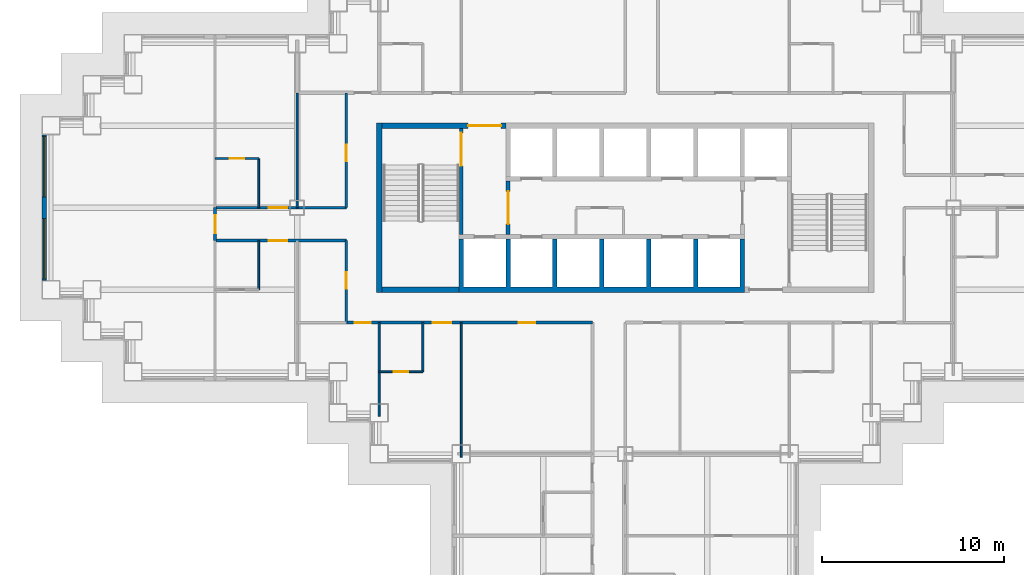
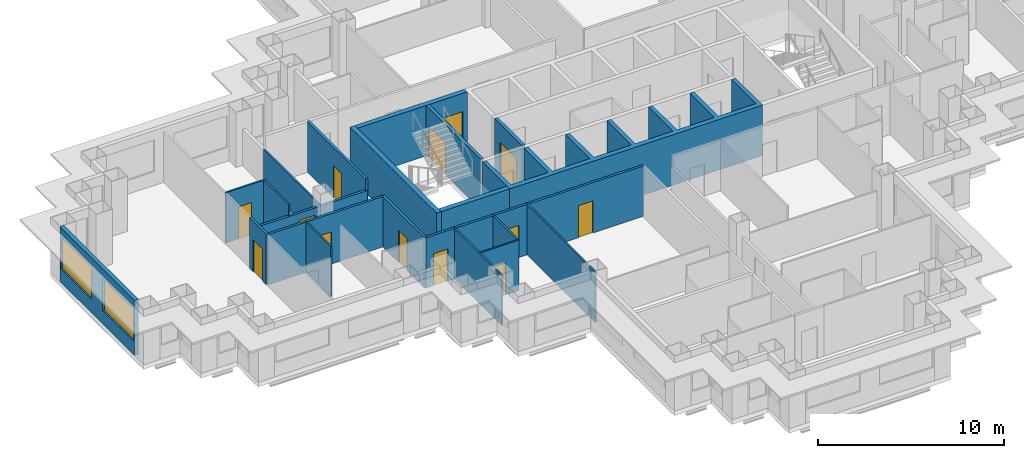
# One storey, part 4 of 14: 21 walls, 13 doors, 2 windows, 15 openings.
"""IFC4 building model written with IfcOpenShell, lengths in metres."""

from ifc_helpers import new_model, si_unit, direction, frame, frame_2d, origin, place, context, subcontext, project, spatial, polyline, rectangle, outline, extrude, material, layer, layer_set, type_object, element, fill, save


model = new_model("IFC4")

# Units and contexts
model_context = context("Model", 3, precision=1e-05, world=origin(), true_north=direction((0.0, 1.0)))
body_context = subcontext(model_context, "Body", "Model", "MODEL_VIEW")
ifc_project = project(units=[si_unit("LENGTHUNIT", "METRE"), si_unit("AREAUNIT", "SQUARE_METRE"), si_unit("VOLUMEUNIT", "CUBIC_METRE"), si_unit("PLANEANGLEUNIT", "RADIAN"), si_unit("MASSUNIT", "GRAM", prefix="KILO")], contexts=[model_context])

# Site, building, storey
site_placement = place(None, origin())
site = spatial("IfcSite", under=ifc_project, at=site_placement, CompositionType="ELEMENT")
building_placement = place(site_placement, origin())
building = spatial("IfcBuilding", under=site, at=building_placement, Name="Caravel Reach Hotel and Residences", CompositionType="ELEMENT")
storey_placement = place(building_placement, frame((0.0, 0.0, 56.39990234375)))
storey = spatial("IfcBuildingStorey", under=building, at=storey_placement, Name="L12", CompositionType="ELEMENT", Elevation=56.39990234375)

# Wall, opening, door
ifc_material_1 = material(Name="Gypsum board on steel stud", Category="steel")
ifc_layer_1 = layer(ifc_material_1, 0.10009765625)
ifc_layer_set_1 = layer_set([ifc_layer_1], Name="Bathroom pod wall 100 mm")
wall_type_1 = type_object("IfcWallType", Name="Bathroom pod wall 100 mm", PredefinedType="PARTITIONING", material=ifc_layer_set_1)
wall_1_placement = place(storey_placement, frame((18.0, 18.0, 0.0), z_axis=(0.0, 0.0, 1.0), x_axis=(1.0, 0.0, 0.0)))
wall_1 = element("IfcWall", 1, at=wall_1_placement, inside=storey, type_object=wall_type_1, Name="L12 wall w075", PredefinedType="PARTITIONING", context=body_context, shape_type="SweptSolid", body=[
    extrude(rectangle(XDim=2.39990234375, YDim=0.10009765625, at=frame_2d((1.199951171875, 0.0))), origin(), (0.0, 0.0, 1.0), 3.300048828125),
])
opening_1_placement = place(wall_1_placement, frame((0.800048828125, 0.0, 0.0)))
opening_1 = element("IfcOpeningElement", 2, at=opening_1_placement, cuts=wall_1, Name="Opening D12-047", PredefinedType="OPENING", context=body_context, shape_type="SweptSolid", body=[
    extrude(rectangle(XDim=0.800048828125, YDim=2.10009765625, at=frame_2d((0.39990234375, 1.050048828125))), frame((0.0, 0.06005859375, 0.0), z_axis=(0.0, -1.0, 0.0), x_axis=(1.0, 0.0, 0.0)), (0.0, 0.0, 1.0), 0.1201171875),
])
ifc_material_2 = material(Name="Timber and steel door leaf", Category="steel")
door_type_1 = type_object("IfcDoorType", Name="Bathroom door 800 x 2100", OperationType="SINGLE_SWING_LEFT", PredefinedType="DOOR", material=ifc_material_2)
door_1_placement = place(opening_1_placement, origin())
door_1 = element("IfcDoor", 3, at=door_1_placement, inside=storey, type_object=door_type_1, Name="door D12-047", OperationType="SINGLE_SWING_RIGHT", OverallHeight=2.10009765625, OverallWidth=0.800048828125, PredefinedType="DOOR", context=body_context, shape_type="SweptSolid", body=[
    extrude(rectangle(XDim=0.800048828125, YDim=2.10009765625, at=frame_2d((0.39990234375, 1.050048828125))), frame((0.0, 0.02490234375, 0.0), z_axis=(0.0, -1.0, 0.0), x_axis=(1.0, 0.0, 0.0)), (0.0, 0.0, 1.0), 0.050048828125),
])
fill(opening_1, door_1)

wall_2_placement = place(storey_placement, frame((9.0, 29.699951171875, 0.0), z_axis=(0.0, 0.0, 1.0), x_axis=(1.0, 0.0, 0.0)))
wall_2 = element("IfcWall", 4, at=wall_2_placement, inside=storey, type_object=wall_type_1, Name="L12 wall w080", PredefinedType="PARTITIONING", context=body_context, shape_type="SweptSolid", body=[
    extrude(rectangle(XDim=2.39990234375, YDim=0.10009765625, at=frame_2d((1.199951171875, 0.0))), origin(), (0.0, 0.0, 1.0), 3.300048828125),
])
opening_2_placement = place(wall_2_placement, frame((0.800048828125, 0.0, 0.0)))
opening_2 = element("IfcOpeningElement", 5, at=opening_2_placement, cuts=wall_2, Name="Opening D12-018", PredefinedType="OPENING", context=body_context, shape_type="SweptSolid", body=[
    extrude(rectangle(XDim=0.800048828125, YDim=2.10009765625, at=frame_2d((0.39990234375, 1.050048828125))), frame((0.0, 0.06005859375, 0.0), z_axis=(0.0, -1.0, 0.0), x_axis=(1.0, 0.0, 0.0)), (0.0, 0.0, 1.0), 0.1201171875),
])
door_2_placement = place(opening_2_placement, origin())
door_2 = element("IfcDoor", 6, at=door_2_placement, inside=storey, type_object=door_type_1, Name="door D12-018", OperationType="SINGLE_SWING_LEFT", OverallHeight=2.10009765625, OverallWidth=0.800048828125, PredefinedType="DOOR", context=body_context, shape_type="SweptSolid", body=[
    extrude(rectangle(XDim=0.800048828125, YDim=2.10009765625, at=frame_2d((0.39990234375, 1.050048828125))), frame((0.0, 0.02490234375, 0.0), z_axis=(0.0, -1.0, 0.0), x_axis=(1.0, 0.0, 0.0)), (0.0, 0.0, 1.0), 0.050048828125),
])
fill(opening_2, door_2)

# Walls
for number, where, z_axis, x_axis, name in (
    (7, (11.39990234375, 27.0, 0.0), (0.0, 0.0, 1.0), (0.0, 1.0, 0.0), "L12 wall w088"),
    (8, (11.39990234375, 22.5, 0.0), (0.0, 0.0, 1.0), (0.0, 1.0, 0.0), "L12 wall w089"),
    (9, (20.39990234375, 18.0, 0.0), (0.0, 0.0, 1.0), (0.0, 1.0, 0.0), "L12 wall w091"),
):
    element("IfcWall", number, at=place(storey_placement, frame(where, z_axis=z_axis, x_axis=x_axis)), inside=storey, type_object=wall_type_1, Name=name, PredefinedType="PARTITIONING", context=body_context, shape_type="SweptSolid", body=[
        extrude(rectangle(XDim=2.699951171875, YDim=0.10009765625, at=frame_2d((1.35009765625, 0.0))), origin(), (0.0, 0.0, 1.0), 3.300048828125),
    ])
ifc_material_3 = material(Name="Concrete C60", Category="concrete")
ifc_layer_2 = layer(ifc_material_3, 0.300048828125)
ifc_layer_set_2 = layer_set([ifc_layer_2], Name="Core wall 300 mm EI 120")
wall_type_2 = type_object("IfcWallType", Name="Core wall 300 mm EI 120", PredefinedType="SHEAR", material=ifc_layer_set_2)
wall_3_placement = place(storey_placement, frame((18.14990234375, 22.5, 0.0), z_axis=(0.0, 0.0, 1.0), x_axis=(1.0, 0.0, 0.0)))
element("IfcWall", 10, at=wall_3_placement, inside=storey, type_object=wall_type_2, Name="L12 core wall S1", PredefinedType="SHEAR", context=body_context, shape_type="SweptSolid", body=[
    extrude(rectangle(XDim=4.22509765625, YDim=0.300048828125, at=frame_2d((2.112548828125, 0.0))), origin(), (0.0, 0.0, 1.0), 3.300048828125),
])

# Wall, opening, door
wall_4_placement = place(storey_placement, frame((18.14990234375, 31.5, 0.0), z_axis=(0.0, 0.0, 1.0), x_axis=(1.0, 0.0, 0.0)))
wall_4 = element("IfcWall", 11, at=wall_4_placement, inside=storey, type_object=wall_type_2, Name="L12 core wall N1", PredefinedType="SHEAR", context=body_context, shape_type="SweptSolid", body=[
    extrude(rectangle(XDim=6.796630859375, YDim=0.300048828125, at=frame_2d((3.3984375, 0.0))), origin(), (0.0, 0.0, 1.0), 3.300048828125),
])
opening_3_placement = place(wall_4_placement, frame((4.735595703125, 0.0, 0.0)))
opening_3 = element("IfcOpeningElement", 12, at=opening_3_placement, cuts=wall_4, Name="Opening D12-013", PredefinedType="OPENING", context=body_context, shape_type="SweptSolid", body=[
    extrude(rectangle(XDim=1.800048828125, YDim=2.10009765625, at=frame_2d((0.89990234375, 1.050048828125))), frame((0.0, 0.159912109375, 0.0), z_axis=(0.0, -1.0, 0.0), x_axis=(1.0, 0.0, 0.0)), (0.0, 0.0, 1.0), 0.320068359375),
])
ifc_material_4 = material(Name="Steel fire door leaf", Category="steel")
door_type_2 = type_object("IfcDoorType", Name="Fire lobby door pair 1800 x 2100 EI 90", OperationType="DOUBLE_DOOR_SINGLE_SWING", PredefinedType="DOOR", material=ifc_material_4)
door_3_placement = place(opening_3_placement, origin())
door_3 = element("IfcDoor", 13, at=door_3_placement, inside=storey, type_object=door_type_2, Name="lobby N door pair to corridor", OperationType="DOUBLE_DOOR_SINGLE_SWING", OverallHeight=2.10009765625, OverallWidth=1.800048828125, PredefinedType="DOOR", context=body_context, shape_type="SweptSolid", body=[
    extrude(rectangle(XDim=1.800048828125, YDim=2.10009765625, at=frame_2d((0.89990234375, 1.050048828125))), frame((0.0, 0.02490234375, 0.0), z_axis=(0.0, -1.0, 0.0), x_axis=(1.0, 0.0, 0.0)), (0.0, 0.0, 1.0), 0.050048828125),
])
fill(opening_3, door_3)

# Wall
wall_5_placement = place(storey_placement, frame((18.0, 22.35009765625, 0.0), z_axis=(0.0, 0.0, 1.0), x_axis=(0.0, 1.0, 0.0)))
element("IfcWall", 14, at=wall_5_placement, inside=storey, type_object=wall_type_2, Name="L12 core wall W", PredefinedType="SHEAR", context=body_context, shape_type="SweptSolid", body=[
    extrude(rectangle(XDim=9.2998046875, YDim=0.300048828125, at=frame_2d((4.64990234375, 0.0))), origin(), (0.0, 0.0, 1.0), 3.300048828125),
])

# Wall, openings, doors
ifc_material_5 = material(Name="Gypsum board on steel stud, fire-rated", Category="steel")
ifc_layer_3 = layer(ifc_material_5, 0.14990234375)
ifc_layer_set_3 = layer_set([ifc_layer_3], Name="Corridor wall 150 mm EI 60")
wall_type_3 = type_object("IfcWallType", Name="Corridor wall 150 mm EI 60", PredefinedType="PARTITIONING", material=ifc_layer_set_3)
wall_6_placement = place(storey_placement, frame((16.199951171875, 20.699951171875, 0.0), z_axis=(0.0, 0.0, 1.0), x_axis=(1.0, 0.0, 0.0)))
wall_6 = element("IfcWall", 15, at=wall_6_placement, inside=storey, type_object=wall_type_3, Name="L12 wall w006", PredefinedType="PARTITIONING", context=body_context, shape_type="SweptSolid", body=[
    extrude(rectangle(XDim=13.5, YDim=0.14990234375, at=frame_2d((6.75, 0.0))), origin(), (0.0, 0.0, 1.0), 3.300048828125),
])
opening_4_placement = place(wall_6_placement, frame((4.75, 0.0, 0.0)))
opening_4 = element("IfcOpeningElement", 16, at=opening_4_placement, cuts=wall_6, Name="Opening D12-046", PredefinedType="OPENING", context=body_context, shape_type="SweptSolid", body=[
    extrude(rectangle(XDim=1.0, YDim=2.10009765625, at=frame_2d((0.5, 1.050048828125))), frame((0.0, 0.0849609375, 0.0), z_axis=(0.0, -1.0, 0.0), x_axis=(1.0, 0.0, 0.0)), (0.0, 0.0, 1.0), 0.169921875),
])
opening_5_placement = place(wall_6_placement, frame((0.449951171875, 0.0, 0.0)))
opening_5 = element("IfcOpeningElement", 17, at=opening_5_placement, cuts=wall_6, Name="Opening D12-048", PredefinedType="OPENING", context=body_context, shape_type="SweptSolid", body=[
    extrude(rectangle(XDim=0.89990234375, YDim=2.10009765625, at=frame_2d((0.449951171875, 1.050048828125))), frame((0.0, 0.0849609375, 0.0), z_axis=(0.0, -1.0, 0.0), x_axis=(1.0, 0.0, 0.0)), (0.0, 0.0, 1.0), 0.169921875),
])
opening_6_placement = place(wall_6_placement, frame((9.449951171875, 0.0, 0.0)))
opening_6 = element("IfcOpeningElement", 18, at=opening_6_placement, cuts=wall_6, Name="Opening D12-054", PredefinedType="OPENING", context=body_context, shape_type="SweptSolid", body=[
    extrude(rectangle(XDim=0.89990234375, YDim=2.10009765625, at=frame_2d((0.449951171875, 1.050048828125))), frame((0.0, 0.0849609375, 0.0), z_axis=(0.0, -1.0, 0.0), x_axis=(1.0, 0.0, 0.0)), (0.0, 0.0, 1.0), 0.169921875),
])
ifc_material_6 = material(Name="Timber and steel door leaf", Category="steel")
door_type_3 = type_object("IfcDoorType", Name="Door 900 x 2100 timber", OperationType="SINGLE_SWING_LEFT", PredefinedType="DOOR", material=ifc_material_6)
door_4_placement = place(opening_5_placement, origin())
door_4 = element("IfcDoor", 19, at=door_4_placement, inside=storey, type_object=door_type_3, Name="door D12-048", OperationType="SINGLE_SWING_RIGHT", OverallHeight=2.10009765625, OverallWidth=0.89990234375, PredefinedType="DOOR", context=body_context, shape_type="SweptSolid", body=[
    extrude(rectangle(XDim=0.89990234375, YDim=2.10009765625, at=frame_2d((0.449951171875, 1.050048828125))), frame((0.0, 0.02490234375, 0.0), z_axis=(0.0, -1.0, 0.0), x_axis=(1.0, 0.0, 0.0)), (0.0, 0.0, 1.0), 0.050048828125),
])
fill(opening_5, door_4)
door_5_placement = place(opening_6_placement, origin())
door_5 = element("IfcDoor", 20, at=door_5_placement, inside=storey, type_object=door_type_3, Name="door D12-054", OperationType="SINGLE_SWING_LEFT", OverallHeight=2.10009765625, OverallWidth=0.89990234375, PredefinedType="DOOR", context=body_context, shape_type="SweptSolid", body=[
    extrude(rectangle(XDim=0.89990234375, YDim=2.10009765625, at=frame_2d((0.449951171875, 1.050048828125))), frame((0.0, 0.02490234375, 0.0), z_axis=(0.0, -1.0, 0.0), x_axis=(1.0, 0.0, 0.0)), (0.0, 0.0, 1.0), 0.050048828125),
])
fill(opening_6, door_5)
ifc_material_7 = material(Name="Steel fire door leaf", Category="steel")
door_type_4 = type_object("IfcDoorType", Name="Guest room door 1000 x 2100 EI 30", OperationType="SINGLE_SWING_LEFT", PredefinedType="DOOR", material=ifc_material_7)
door_6_placement = place(opening_4_placement, origin())
door_6 = element("IfcDoor", 21, at=door_6_placement, inside=storey, type_object=door_type_4, Name="door D12-046", OperationType="SINGLE_SWING_RIGHT", OverallHeight=2.10009765625, OverallWidth=1.0, PredefinedType="DOOR", context=body_context, shape_type="SweptSolid", body=[
    extrude(rectangle(XDim=1.0, YDim=2.10009765625, at=frame_2d((0.5, 1.050048828125))), frame((0.0, 0.02490234375, 0.0), z_axis=(0.0, -1.0, 0.0), x_axis=(1.0, 0.0, 0.0)), (0.0, 0.0, 1.0), 0.050048828125),
])
fill(opening_4, door_6)

# Wall, opening, door
wall_7_placement = place(storey_placement, frame((9.0, 25.199951171875, 0.0), z_axis=(0.0, 0.0, 1.0), x_axis=(1.0, 0.0, 0.0)))
wall_7 = element("IfcWall", 22, at=wall_7_placement, inside=storey, type_object=wall_type_3, Name="L12 wall w008", PredefinedType="PARTITIONING", context=body_context, shape_type="SweptSolid", body=[
    extrude(rectangle(XDim=7.199951171875, YDim=0.14990234375, at=frame_2d((3.60009765625, 0.0))), origin(), (0.0, 0.0, 1.0), 3.300048828125),
])
opening_7_placement = place(wall_7_placement, frame((2.949951171875, 0.0, 0.0)))
opening_7 = element("IfcOpeningElement", 23, at=opening_7_placement, cuts=wall_7, Name="Opening D12-015", PredefinedType="OPENING", context=body_context, shape_type="SweptSolid", body=[
    extrude(rectangle(XDim=1.0, YDim=2.10009765625, at=frame_2d((0.5, 1.050048828125))), frame((0.0, 0.0849609375, 0.0), z_axis=(0.0, -1.0, 0.0), x_axis=(1.0, 0.0, 0.0)), (0.0, 0.0, 1.0), 0.169921875),
])
door_7_placement = place(opening_7_placement, origin())
door_7 = element("IfcDoor", 24, at=door_7_placement, inside=storey, type_object=door_type_4, Name="door D12-015", OperationType="SINGLE_SWING_RIGHT", OverallHeight=2.10009765625, OverallWidth=1.0, PredefinedType="DOOR", context=body_context, shape_type="SweptSolid", body=[
    extrude(rectangle(XDim=1.0, YDim=2.10009765625, at=frame_2d((0.5, 1.050048828125))), frame((0.0, 0.02490234375, 0.0), z_axis=(0.0, -1.0, 0.0), x_axis=(1.0, 0.0, 0.0)), (0.0, 0.0, 1.0), 0.050048828125),
])
fill(opening_7, door_7)

wall_8_placement = place(storey_placement, frame((9.0, 27.0, 0.0), z_axis=(0.0, 0.0, 1.0), x_axis=(1.0, 0.0, 0.0)))
wall_8 = element("IfcWall", 25, at=wall_8_placement, inside=storey, type_object=wall_type_3, Name="L12 wall w012", PredefinedType="PARTITIONING", context=body_context, shape_type="SweptSolid", body=[
    extrude(rectangle(XDim=7.199951171875, YDim=0.14990234375, at=frame_2d((3.60009765625, 0.0))), origin(), (0.0, 0.0, 1.0), 2.580078125),
])
opening_8_placement = place(wall_8_placement, frame((2.949951171875, 0.0, 0.0)))
opening_8 = element("IfcOpeningElement", 26, at=opening_8_placement, cuts=wall_8, Name="Opening D12-017", PredefinedType="OPENING", context=body_context, shape_type="SweptSolid", body=[
    extrude(rectangle(XDim=1.0, YDim=2.10009765625, at=frame_2d((0.5, 1.050048828125))), frame((0.0, 0.0849609375, 0.0), z_axis=(0.0, -1.0, 0.0), x_axis=(1.0, 0.0, 0.0)), (0.0, 0.0, 1.0), 0.169921875),
])
door_8_placement = place(opening_8_placement, origin())
door_8 = element("IfcDoor", 27, at=door_8_placement, inside=storey, type_object=door_type_4, Name="door D12-017", OperationType="SINGLE_SWING_RIGHT", OverallHeight=2.10009765625, OverallWidth=1.0, PredefinedType="DOOR", context=body_context, shape_type="SweptSolid", body=[
    extrude(rectangle(XDim=1.0, YDim=2.10009765625, at=frame_2d((0.5, 1.050048828125))), frame((0.0, 0.02490234375, 0.0), z_axis=(0.0, -1.0, 0.0), x_axis=(1.0, 0.0, 0.0)), (0.0, 0.0, 1.0), 0.050048828125),
])
fill(opening_8, door_8)

wall_9_placement = place(storey_placement, frame((16.199951171875, 27.0, 0.0), z_axis=(0.0, 0.0, 1.0), x_axis=(0.0, 1.0, 0.0)))
wall_9 = element("IfcWall", 28, at=wall_9_placement, inside=storey, type_object=wall_type_3, Name="L12 wall w024", PredefinedType="PARTITIONING", context=body_context, shape_type="SweptSolid", body=[
    extrude(rectangle(XDim=6.300048828125, YDim=0.14990234375, at=frame_2d((3.14990234375, 0.0))), origin(), (0.0, 0.0, 1.0), 3.300048828125),
])
opening_9_placement = place(wall_9_placement, frame((2.550048828125, 0.0, 0.0)))
opening_9 = element("IfcOpeningElement", 29, at=opening_9_placement, cuts=wall_9, Name="Opening D12-058", PredefinedType="OPENING", context=body_context, shape_type="SweptSolid", body=[
    extrude(rectangle(XDim=0.89990234375, YDim=2.10009765625, at=frame_2d((0.449951171875, 1.050048828125))), frame((0.0, 0.0849609375, 0.0), z_axis=(0.0, -1.0, 0.0), x_axis=(1.0, 0.0, 0.0)), (0.0, 0.0, 1.0), 0.169921875),
])
door_9_placement = place(opening_9_placement, origin())
door_9 = element("IfcDoor", 30, at=door_9_placement, inside=storey, type_object=door_type_3, Name="door D12-058", OperationType="SINGLE_SWING_LEFT", OverallHeight=2.10009765625, OverallWidth=0.89990234375, PredefinedType="DOOR", context=body_context, shape_type="SweptSolid", body=[
    extrude(rectangle(XDim=0.89990234375, YDim=2.10009765625, at=frame_2d((0.449951171875, 1.050048828125))), frame((0.0, 0.02490234375, 0.0), z_axis=(0.0, -1.0, 0.0), x_axis=(1.0, 0.0, 0.0)), (0.0, 0.0, 1.0), 0.050048828125),
])
fill(opening_9, door_9)

wall_10_placement = place(storey_placement, frame((16.199951171875, 20.699951171875, 0.0), z_axis=(0.0, 0.0, 1.0), x_axis=(0.0, 1.0, 0.0)))
wall_10 = element("IfcWall", 31, at=wall_10_placement, inside=storey, type_object=wall_type_3, Name="L12 wall w025", PredefinedType="PARTITIONING", context=body_context, shape_type="SweptSolid", body=[
    extrude(rectangle(XDim=4.5, YDim=0.14990234375, at=frame_2d((2.25, 0.0))), origin(), (0.0, 0.0, 1.0), 3.300048828125),
])
opening_10_placement = place(wall_10_placement, frame((1.85009765625, 0.0, 0.0)))
opening_10 = element("IfcOpeningElement", 32, at=opening_10_placement, cuts=wall_10, Name="Opening D12-057", PredefinedType="OPENING", context=body_context, shape_type="SweptSolid", body=[
    extrude(rectangle(XDim=0.89990234375, YDim=2.10009765625, at=frame_2d((0.449951171875, 1.050048828125))), frame((0.0, 0.0849609375, 0.0), z_axis=(0.0, -1.0, 0.0), x_axis=(1.0, 0.0, 0.0)), (0.0, 0.0, 1.0), 0.169921875),
])
door_10_placement = place(opening_10_placement, origin())
door_10 = element("IfcDoor", 33, at=door_10_placement, inside=storey, type_object=door_type_3, Name="door D12-057", OperationType="SINGLE_SWING_LEFT", OverallHeight=2.10009765625, OverallWidth=0.89990234375, PredefinedType="DOOR", context=body_context, shape_type="SweptSolid", body=[
    extrude(rectangle(XDim=0.89990234375, YDim=2.10009765625, at=frame_2d((0.449951171875, 1.050048828125))), frame((0.0, 0.02490234375, 0.0), z_axis=(0.0, -1.0, 0.0), x_axis=(1.0, 0.0, 0.0)), (0.0, 0.0, 1.0), 0.050048828125),
])
fill(opening_10, door_10)

wall_11_placement = place(storey_placement, frame((9.0, 25.199951171875, 0.0), z_axis=(0.0, 0.0, 1.0), x_axis=(0.0, 1.0, 0.0)))
wall_11 = element("IfcWall", 34, at=wall_11_placement, inside=storey, type_object=wall_type_3, Name="L12 wall w039", PredefinedType="PARTITIONING", context=body_context, shape_type="SweptSolid", body=[
    extrude(rectangle(XDim=1.800048828125, YDim=0.14990234375, at=frame_2d((0.89990234375, 0.0))), origin(), (0.0, 0.0, 1.0), 3.300048828125),
])
opening_11_placement = place(wall_11_placement, frame((0.39990234375, 0.0, 0.0)))
opening_11 = element("IfcOpeningElement", 35, at=opening_11_placement, cuts=wall_11, Name="Opening D12-037", PredefinedType="OPENING", context=body_context, shape_type="SweptSolid", body=[
    extrude(rectangle(XDim=1.0, YDim=2.10009765625, at=frame_2d((0.5, 1.050048828125))), frame((0.0, 0.0849609375, 0.0), z_axis=(0.0, -1.0, 0.0), x_axis=(1.0, 0.0, 0.0)), (0.0, 0.0, 1.0), 0.169921875),
])
door_11_placement = place(opening_11_placement, origin())
door_11 = element("IfcDoor", 36, at=door_11_placement, inside=storey, type_object=door_type_4, Name="door D12-037", OperationType="SINGLE_SWING_LEFT", OverallHeight=2.10009765625, OverallWidth=1.0, PredefinedType="DOOR", context=body_context, shape_type="SweptSolid", body=[
    extrude(rectangle(XDim=1.0, YDim=2.10009765625, at=frame_2d((0.5, 1.050048828125))), frame((0.0, 0.02490234375, 0.0), z_axis=(0.0, -1.0, 0.0), x_axis=(1.0, 0.0, 0.0)), (0.0, 0.0, 1.0), 0.050048828125),
])
fill(opening_11, door_11)

# Wall, openings, windows
ifc_material_8 = material(Name="Insulated rainscreen wall, aluminium cladding", Category="aluminium")
ifc_layer_4 = layer(ifc_material_8, 0.25)
ifc_layer_set_4 = layer_set([ifc_layer_4], Name="EW1 Tower rainscreen wall")
wall_type_4 = type_object("IfcWallType", Name="EW1 Tower rainscreen wall", PredefinedType="SOLIDWALL", material=ifc_layer_set_4)
wall_12_placement = place(storey_placement, frame((-0.375, 31.0, 0.0), z_axis=(0.0, 0.0, 1.0), x_axis=(0.0, -1.0, 0.0)))
wall_12 = element("IfcWall", 37, at=wall_12_placement, inside=storey, type_object=wall_type_4, Name="External wall L12 W50.1", PredefinedType="SOLIDWALL", context=body_context, shape_type="SweptSolid", body=[
    extrude(rectangle(XDim=8.0, YDim=0.25, at=frame_2d((4.0, 0.0))), origin(), (0.0, 0.0, 1.0), 3.60009765625),
])
opening_12_placement = place(wall_12_placement, frame((0.10009765625, 0.0, 0.89990234375)))
opening_12 = element("IfcOpeningElement", 38, at=opening_12_placement, cuts=wall_12, Name="Opening WN4", PredefinedType="OPENING", context=body_context, shape_type="SweptSolid", body=[
    extrude(rectangle(XDim=3.300048828125, YDim=2.080078125, at=frame_2d((1.64990234375, 1.0400390625))), frame((0.0, 0.135009765625, 0.0), z_axis=(0.0, -1.0, 0.0), x_axis=(1.0, 0.0, 0.0)), (0.0, 0.0, 1.0), 0.27001953125),
])
opening_13_placement = place(wall_12_placement, frame((4.60009765625, 0.0, 0.89990234375)))
opening_13 = element("IfcOpeningElement", 39, at=opening_13_placement, cuts=wall_12, Name="Opening WN4", PredefinedType="OPENING", context=body_context, shape_type="SweptSolid", body=[
    extrude(rectangle(XDim=3.300048828125, YDim=2.080078125, at=frame_2d((1.64990234375, 1.0400390625))), frame((0.0, 0.135009765625, 0.0), z_axis=(0.0, -1.0, 0.0), x_axis=(1.0, 0.0, 0.0)), (0.0, 0.0, 1.0), 0.27001953125),
])
ifc_material_9 = material(Name="Dark low-e glazing in black aluminium frame", Category="aluminium")
window_type = type_object("IfcWindowType", Name="Hotel guest room window 3300 x 2080", PartitioningType="SINGLE_PANEL", PredefinedType="WINDOW", material=ifc_material_9)
window_1_placement = place(opening_12_placement, origin())
window_1 = element("IfcWindow", 40, at=window_1_placement, inside=storey, type_object=window_type, Name="Window L12 W50.1.1", OverallHeight=2.080078125, OverallWidth=3.300048828125, PartitioningType="SINGLE_PANEL", PredefinedType="WINDOW", context=body_context, shape_type="SweptSolid", body=[
    extrude(rectangle(XDim=3.300048828125, YDim=2.080078125, at=frame_2d((1.64990234375, 1.0400390625))), frame((0.0, 0.030029296875, 0.0), z_axis=(0.0, -1.0, 0.0), x_axis=(1.0, 0.0, 0.0)), (0.0, 0.0, 1.0), 0.06005859375),
])
fill(opening_12, window_1)
window_2_placement = place(opening_13_placement, origin())
window_2 = element("IfcWindow", 41, at=window_2_placement, inside=storey, type_object=window_type, Name="Window L12 W50.1.2", OverallHeight=2.080078125, OverallWidth=3.300048828125, PartitioningType="SINGLE_PANEL", PredefinedType="WINDOW", context=body_context, shape_type="SweptSolid", body=[
    extrude(rectangle(XDim=3.300048828125, YDim=2.080078125, at=frame_2d((1.64990234375, 1.0400390625))), frame((0.0, 0.030029296875, 0.0), z_axis=(0.0, -1.0, 0.0), x_axis=(1.0, 0.0, 0.0)), (0.0, 0.0, 1.0), 0.06005859375),
])
fill(opening_13, window_2)

# Wall, opening, door
ifc_material_10 = material(Name="Autoclaved aerated block wall")
ifc_layer_5 = layer(ifc_material_10, 0.199951171875)
ifc_layer_set_5 = layer_set([ifc_layer_5], Name="Fire lobby wall 200 mm EI 120")
wall_type_5 = type_object("IfcWallType", Name="Fire lobby wall 200 mm EI 120", PredefinedType="PARTITIONING", material=ifc_layer_set_5)
wall_13_placement = place(storey_placement, frame((25.071533203125, 25.52490234375, 0.0), z_axis=(0.0, 0.0, 1.0), x_axis=(0.0, 1.0, 0.0)))
wall_13 = element("IfcWall", 42, at=wall_13_placement, inside=storey, type_object=wall_type_5, Name="L12 lobby W wall", PredefinedType="PARTITIONING", context=body_context, shape_type="SweptSolid", body=[
    extrude(rectangle(XDim=2.9501953125, YDim=0.199951171875, at=frame_2d((1.47509765625, 0.0))), origin(), (0.0, 0.0, 1.0), 3.300048828125),
])
opening_14_placement = place(wall_13_placement, frame((0.574951171875, 0.0, 0.0)))
opening_14 = element("IfcOpeningElement", 43, at=opening_14_placement, cuts=wall_13, Name="Opening D12-011", PredefinedType="OPENING", context=body_context, shape_type="SweptSolid", body=[
    extrude(rectangle(XDim=1.800048828125, YDim=2.10009765625, at=frame_2d((0.89990234375, 1.050048828125))), frame((0.0, 0.10986328125, 0.0), z_axis=(0.0, -1.0, 0.0), x_axis=(1.0, 0.0, 0.0)), (0.0, 0.0, 1.0), 0.219970703125),
])
door_12_placement = place(opening_14_placement, origin())
door_12 = element("IfcDoor", 44, at=door_12_placement, inside=storey, type_object=door_type_2, Name="lobby W door pair", OperationType="DOUBLE_DOOR_SINGLE_SWING", OverallHeight=2.10009765625, OverallWidth=1.800048828125, PredefinedType="DOOR", context=body_context, shape_type="SweptSolid", body=[
    extrude(rectangle(XDim=1.800048828125, YDim=2.10009765625, at=frame_2d((0.89990234375, 1.050048828125))), frame((0.0, 0.02490234375, 0.0), z_axis=(0.0, -1.0, 0.0), x_axis=(1.0, 0.0, 0.0)), (0.0, 0.0, 1.0), 0.050048828125),
])
fill(opening_14, door_12)

# Walls
ifc_material_11 = material(Name="Gypsum board on steel stud", Category="steel")
ifc_layer_6 = layer(ifc_material_11, 0.10009765625)
ifc_layer_set_6 = layer_set([ifc_layer_6], Name="Partition 100 mm")
wall_type_6 = type_object("IfcWallType", Name="Partition 100 mm", PredefinedType="PARTITIONING", material=ifc_layer_set_6)
wall_14_placement = place(storey_placement, frame((13.5, 27.0, 0.0), z_axis=(0.0, 0.0, 1.0), x_axis=(0.0, 1.0, 0.0)))
element("IfcWall", 45, at=wall_14_placement, inside=storey, type_object=wall_type_6, Name="L12 wall w053", PredefinedType="PARTITIONING", context=body_context, shape_type="SweptSolid", body=[
    extrude(rectangle(XDim=6.300048828125, YDim=0.10009765625, at=frame_2d((3.14990234375, 0.0))), origin(), (0.0, 0.0, 1.0), 2.380126953125),
])
wall_15_placement = place(storey_placement, frame((18.0, 15.56005859375, 0.0), z_axis=(0.0, 0.0, 1.0), x_axis=(0.0, 1.0, 0.0)))
element("IfcWall", 46, at=wall_15_placement, inside=storey, type_object=wall_type_6, Name="L12 wall w056", PredefinedType="PARTITIONING", context=body_context, shape_type="SweptSolid", body=[
    extrude(rectangle(XDim=5.139892578125, YDim=0.10009765625, at=frame_2d((2.56982421875, 0.0))), origin(), (0.0, 0.0, 1.0), 3.300048828125),
])
wall_16_placement = place(storey_placement, frame((22.5, 13.31005859375, 0.0), z_axis=(0.0, 0.0, 1.0), x_axis=(0.0, 1.0, 0.0)))
element("IfcWall", 47, at=wall_16_placement, inside=storey, type_object=wall_type_6, Name="L12 wall w058", PredefinedType="PARTITIONING", context=body_context, shape_type="SweptSolid", body=[
    extrude(rectangle(XDim=7.389892578125, YDim=0.10009765625, at=frame_2d((3.69482421875, 0.0))), origin(), (0.0, 0.0, 1.0), 3.300048828125),
])
ifc_material_12 = material(Name="Concrete C60", Category="concrete")
ifc_layer_7 = layer(ifc_material_12, 0.25)
ifc_layer_set_7 = layer_set([ifc_layer_7], Name="Shaft wall 250 mm EI 120")
wall_type_7 = type_object("IfcWallType", Name="Shaft wall 250 mm EI 120", PredefinedType="SHEAR", material=ifc_layer_set_7)
wall_17_placement = place(storey_placement, origin())
element("IfcWall", 48, at=wall_17_placement, inside=storey, type_object=wall_type_7, Name="L12 lift shaft wall S1", PredefinedType="SHEAR", context=body_context, shape_type="SweptSolid", body=[
    extrude(outline(polyline([(22.375, 22.35009765625), (38.053466796875, 22.35009765625), (38.053466796875, 25.27490234375), (37.803466796875, 25.27490234375), (37.803466796875, 22.64990234375), (35.482177734375, 22.64990234375), (35.482177734375, 25.27490234375), (35.232177734375, 25.27490234375), (35.232177734375, 22.64990234375), (32.91064453125, 22.64990234375), (32.91064453125, 25.27490234375), (32.66064453125, 25.27490234375), (32.66064453125, 22.64990234375), (30.33935546875, 22.64990234375), (30.33935546875, 25.27490234375), (30.08935546875, 25.27490234375), (30.08935546875, 22.64990234375), (27.767822265625, 22.64990234375), (27.767822265625, 25.27490234375), (27.517822265625, 25.27490234375), (27.517822265625, 22.64990234375), (25.196533203125, 22.64990234375), (25.196533203125, 25.27490234375), (24.946533203125, 25.27490234375), (24.946533203125, 22.64990234375), (22.625, 22.64990234375), (22.625, 25.27490234375), (22.375, 25.27490234375), (22.375, 22.35009765625)])), origin(), (0.0, 0.0, 1.0), 3.300048828125),
])

# Wall, opening, door
ifc_material_13 = material(Name="Concrete C60", Category="concrete")
ifc_layer_8 = layer(ifc_material_13, 0.199951171875)
ifc_layer_set_8 = layer_set([ifc_layer_8], Name="Stair enclosure wall 200 mm EI 120")
wall_type_8 = type_object("IfcWallType", Name="Stair enclosure wall 200 mm EI 120", PredefinedType="SHEAR", material=ifc_layer_set_8)
wall_18_placement = place(storey_placement, frame((22.5, 31.35009765625, 0.0), z_axis=(0.0, 0.0, 1.0), x_axis=(0.0, -1.0, 0.0)))
wall_18 = element("IfcWall", 49, at=wall_18_placement, inside=storey, type_object=wall_type_8, Name="L12 stair A wall", PredefinedType="SHEAR", context=body_context, shape_type="SweptSolid", body=[
    extrude(rectangle(XDim=5.8251953125, YDim=0.199951171875, at=frame_2d((2.91259765625, 0.0))), origin(), (0.0, 0.0, 1.0), 3.300048828125),
])
opening_15_placement = place(wall_18_placement, frame((0.25, 0.0, 0.0)))
opening_15 = element("IfcOpeningElement", 50, at=opening_15_placement, cuts=wall_18, Name="Opening D12-009", PredefinedType="OPENING", context=body_context, shape_type="SweptSolid", body=[
    extrude(rectangle(XDim=1.800048828125, YDim=2.10009765625, at=frame_2d((0.89990234375, 1.050048828125))), frame((0.0, 0.10986328125, 0.0), z_axis=(0.0, -1.0, 0.0), x_axis=(1.0, 0.0, 0.0)), (0.0, 0.0, 1.0), 0.219970703125),
])
ifc_material_14 = material(Name="Steel fire door leaf", Category="steel")
door_type_5 = type_object("IfcDoorType", Name="Stair door pair 1800 x 2100 EI 90", OperationType="DOUBLE_DOOR_SINGLE_SWING", PredefinedType="DOOR", material=ifc_material_14)
door_13_placement = place(opening_15_placement, origin())
door_13 = element("IfcDoor", 51, at=door_13_placement, inside=storey, type_object=door_type_5, Name="stair A door pair", OperationType="DOUBLE_DOOR_SINGLE_SWING", OverallHeight=2.10009765625, OverallWidth=1.800048828125, PredefinedType="DOOR", context=body_context, shape_type="SweptSolid", body=[
    extrude(rectangle(XDim=1.800048828125, YDim=2.10009765625, at=frame_2d((0.89990234375, 1.050048828125))), frame((0.0, 0.02490234375, 0.0), z_axis=(0.0, -1.0, 0.0), x_axis=(1.0, 0.0, 0.0)), (0.0, 0.0, 1.0), 0.050048828125),
])
fill(opening_15, door_13)

save(model, "model.ifc")
